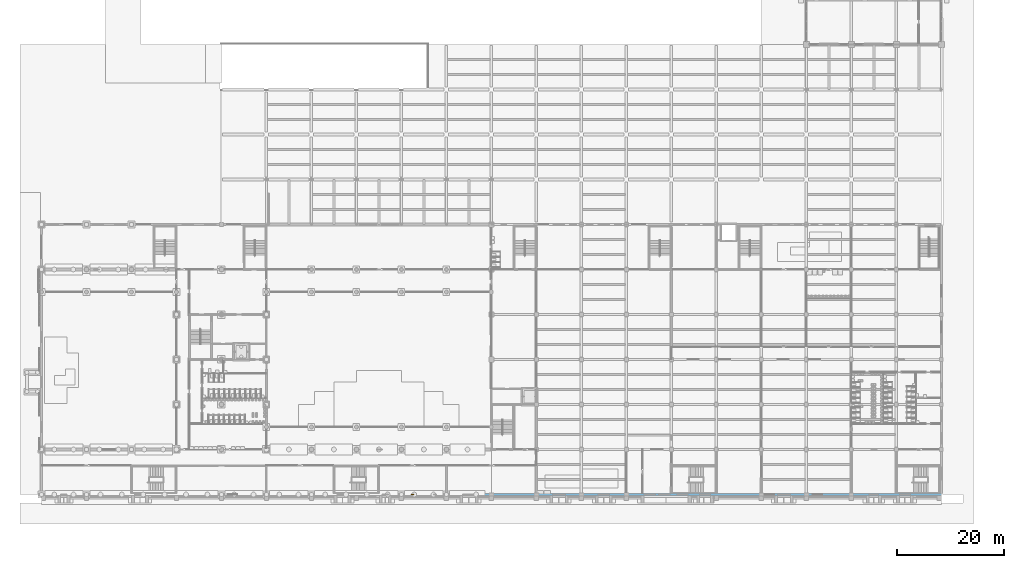
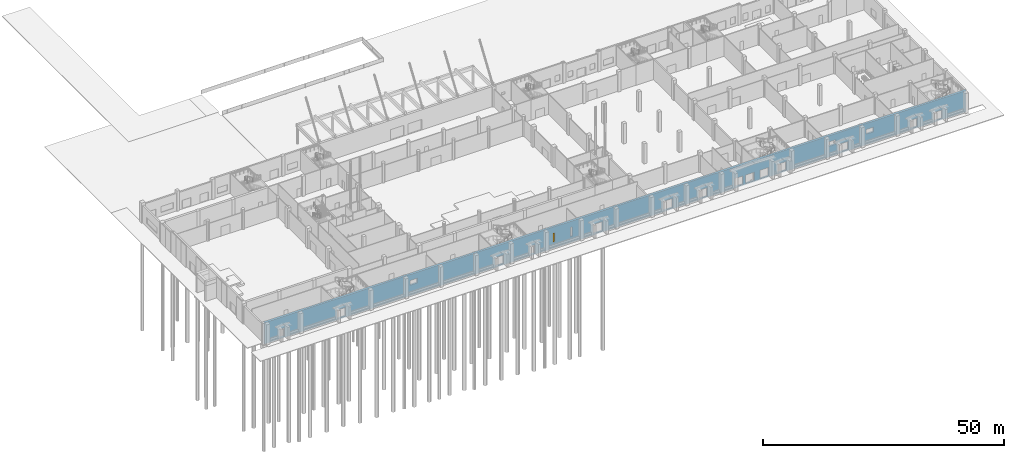
# One storey, part 23 of 74: 1 window, 19 openings, plus 1 element that does not belong to this part.
"""IFC4 building model written with IfcOpenShell, lengths in metres."""

import ifcopenshell
import ifcopenshell.guid

model = None  # the IFC model being written
_history = None  # IfcOwnerHistory: only IFC2X3 demands one
_inside = {}  # id of a spatial element -> (the spatial element, [elements in it])
_under = {}  # id of a project, library or spatial element -> (it, [spatial elements below it])
_declared = {}  # id of a project -> (the project, [libraries it declares])
_typed = {}  # id of a type object -> (the type object, [elements of that type])
_made_of = {}  # id of a material, layer set ... -> (it, [elements and type objects made of it])


def new_model(schema):
    """Start an empty IFC model of exactly this schema.

    Asked for "IFC4X3", IfcOpenShell would pick the latest addendum, in which some entities
    have other attributes; the version numbers below select the first issue.
    IFC2X3 requires an IfcOwnerHistory on every rooted entity: one is made here for all.
    """
    global model, _history
    if schema == "IFC4X3":
        model = ifcopenshell.file(schema_version=(4, 3, 0, 0))
    else:
        model = ifcopenshell.file(schema=schema)
    _inside.clear()
    _under.clear()
    _declared.clear()
    _typed.clear()
    _made_of.clear()
    _history = None
    if model.schema == "IFC2X3":
        org = make("IfcOrganization", Name="unknown")
        user = make(
            "IfcPersonAndOrganization",
            ThePerson=make("IfcPerson", FamilyName="unknown"),
            TheOrganization=org,
        )
        app = make(
            "IfcApplication",
            ApplicationDeveloper=org,
            Version="unknown",
            ApplicationFullName="unknown",
            ApplicationIdentifier="unknown",
        )
        _history = make(
            "IfcOwnerHistory",
            OwningUser=user,
            OwningApplication=app,
            ChangeAction="ADDED",
            CreationDate=0,
        )
    return model


def make(cls, **values):
    """One entity of the class cls with the attributes given. An attribute that is None is left unset."""
    return model.create_entity(
        cls, **{name: value for name, value in values.items() if value is not None}
    )


def rooted(cls, **values):
    """An entity with a GlobalId (a new one), such as an element, a storey or a relation."""
    return make(cls, GlobalId=ifcopenshell.guid.new(), OwnerHistory=_history, **values)


def si_unit(unit_type, name, prefix=None):
    """IfcSIUnit, for example si_unit("LENGTHUNIT", "METRE", prefix="MILLI")."""
    return make("IfcSIUnit", UnitType=unit_type, Prefix=prefix, Name=name)


def assignment(units):
    """IfcUnitAssignment: the units of a project."""
    return None if units is None else make("IfcUnitAssignment", Units=units)


def point(xyz):
    """IfcCartesianPoint."""
    return None if xyz is None else make("IfcCartesianPoint", Coordinates=xyz)


def direction(xyz):
    """IfcDirection."""
    return None if xyz is None else make("IfcDirection", DirectionRatios=xyz)


def frame(location, z_axis=None, x_axis=None):
    """IfcAxis2Placement3D, a coordinate frame: its origin and axes. An axis left out is left unset."""
    return make(
        "IfcAxis2Placement3D",
        Location=point(location),
        Axis=direction(z_axis),
        RefDirection=direction(x_axis),
    )


def frame_2d(location, x_axis=None):
    """IfcAxis2Placement2D, a coordinate frame in the plane: its origin and x axis."""
    return make(
        "IfcAxis2Placement2D", Location=point(location), RefDirection=direction(x_axis)
    )


def origin():
    """The frame at (0, 0, 0) with its axes left unset."""
    return frame((0.0, 0.0, 0.0))


def place(relative_to, where):
    """IfcLocalPlacement: puts the frame where relative to a parent placement (None: the world)."""
    return make(
        "IfcLocalPlacement", PlacementRelTo=relative_to, RelativePlacement=where
    )


def context(
    kind, dimensions, precision=None, world=None, true_north=None, identifier=None
):
    """IfcGeometricRepresentationContext, for example the 3D "Model" context."""
    return make(
        "IfcGeometricRepresentationContext",
        ContextIdentifier=identifier,
        ContextType=kind,
        CoordinateSpaceDimension=dimensions,
        Precision=precision,
        WorldCoordinateSystem=world,
        TrueNorth=true_north,
    )


def subcontext(parent, identifier, kind, view, scale=None):
    """IfcGeometricRepresentationSubContext, for example "Body" below "Model"."""
    return make(
        "IfcGeometricRepresentationSubContext",
        ContextIdentifier=identifier,
        ContextType=kind,
        ParentContext=parent,
        TargetScale=scale,
        TargetView=view,
    )


def project(units=None, contexts=None):
    """IfcProject with its units and contexts."""
    return rooted(
        "IfcProject",
        Name="project",
        RepresentationContexts=contexts,
        UnitsInContext=assignment(units),
    )


def spatial(cls, under=None, at=None, **own):
    """A site, building, storey or space (cls), placed at a placement, below another one or the project."""
    s = rooted(cls, ObjectPlacement=at, **own)
    if under is not None:
        _under.setdefault(under.id(), (under, []))[1].append(s)
    return s


def profile(cls, at=None, kind="AREA", **sizes):
    """A parametric profile (cls). Its sizes go by their IFC names, for example OverallWidth=200.0."""
    return make(cls, ProfileType=kind, Position=at, **sizes)


def rectangle(**sizes):
    """IfcRectangleProfileDef."""
    return profile("IfcRectangleProfileDef", **sizes)


def extrude(swept, where, along, depth):
    """IfcExtrudedAreaSolid: the profile swept, set in the frame where, extruded along a direction by depth."""
    return make(
        "IfcExtrudedAreaSolid",
        SweptArea=swept,
        Position=where,
        ExtrudedDirection=direction(along),
        Depth=depth,
    )


def shape(context_of_items, identifier, shape_type, items):
    """IfcShapeRepresentation: the items that make up one representation, for example the "Body"."""
    return make(
        "IfcShapeRepresentation",
        ContextOfItems=context_of_items,
        RepresentationIdentifier=identifier,
        RepresentationType=shape_type,
        Items=items,
    )


def material(Name=None, Category=None):
    """IfcMaterial."""
    return make("IfcMaterial", Name=Name, Category=Category)


def layer(
    of_material, thickness, ventilated=None, Name=None, Category=None, Priority=None
):
    """IfcMaterialLayer: one layer of a wall or slab, of a material (None: an air gap)."""
    return make(
        "IfcMaterialLayer",
        Material=of_material,
        LayerThickness=thickness,
        IsVentilated=ventilated,
        Name=Name,
        Category=Category,
        Priority=Priority,
    )


def layer_set(layers, Name=None):
    """IfcMaterialLayerSet."""
    return make("IfcMaterialLayerSet", MaterialLayers=layers, LayerSetName=Name)


def made_of(thing, what):
    """Note that an element or type object is made of a material, layer set ...; save() writes the relation."""
    if what is not None:
        _made_of.setdefault(what.id(), (what, []))[1].append(thing)
    return thing


def type_object(cls, material=None, **own):
    """A type object (cls), such as IfcWallType, which elements share."""
    return made_of(rooted(cls, **own), material)


def element(
    cls,
    number,
    at=None,
    inside=None,
    cuts=None,
    type_object=None,
    material=None,
    context=None,
    identifier="Body",
    shape_type=None,
    held_by="IfcProductDefinitionShape",
    body=None,
    shapes=None,
    **own,
):
    """One element of the class cls, such as IfcWall. Its Tag is "e" and its number.

    at: its placement. inside: the storey or other place that contains it. cuts: it is an
    opening in that element (IfcRelVoidsElement). A single representation is given by context,
    identifier, shape_type and body (its items); several are given by shapes. held_by: the class
    of the entity that holds the representations. save() writes the other relations.
    """
    e = rooted(cls, Tag="e%d" % number, ObjectPlacement=at, **own)
    if body is not None:
        shapes = [shape(context, identifier, shape_type, body)]
    if shapes is not None:
        e.Representation = make(held_by, Representations=shapes)
    if inside is not None:
        _inside.setdefault(inside.id(), (inside, []))[1].append(e)
    if cuts is not None:
        rooted(
            "IfcRelVoidsElement", RelatingBuildingElement=cuts, RelatedOpeningElement=e
        )
    if type_object is not None:
        _typed.setdefault(type_object.id(), (type_object, []))[1].append(e)
    return made_of(e, material)


def fill(opening, filler):
    """IfcRelFillsElement: the door or window that sits in an opening."""
    return rooted(
        "IfcRelFillsElement",
        RelatingOpeningElement=opening,
        RelatedBuildingElement=filler,
    )


def aggregate(whole, parts):
    """IfcRelAggregates: a whole, such as a stair, and the parts it consists of."""
    return rooted("IfcRelAggregates", RelatingObject=whole, RelatedObjects=parts)


def save(model, path):
    """Write the relations noted so far, then the file.

    IfcRelAggregates (storeys below a building ...), IfcRelContainedInSpatialStructure (elements
    in a storey), IfcRelDefinesByType, IfcRelAssociatesMaterial and IfcRelDeclares: one each for
    every whole, place, type object, material and project.
    """
    for whole, parts in _under.values():
        aggregate(whole, parts)
    for where, things in _inside.values():
        rooted(
            "IfcRelContainedInSpatialStructure",
            RelatedElements=things,
            RelatingStructure=where,
        )
    for kind, things in _typed.values():
        rooted("IfcRelDefinesByType", RelatedObjects=things, RelatingType=kind)
    for what, things in _made_of.values():
        rooted("IfcRelAssociatesMaterial", RelatedObjects=things, RelatingMaterial=what)
    for by, libraries in _declared.values():
        rooted("IfcRelDeclares", RelatingContext=by, RelatedDefinitions=libraries)
    model.write(path)


model = new_model("IFC4")

# Units and contexts
model_context = context("Model", 3, precision=1e-05, world=origin(), true_north=direction((0.0, 1.0)))
body_context = subcontext(model_context, "Body", "Model", "MODEL_VIEW")
ifc_project = project(units=[si_unit("LENGTHUNIT", "METRE"), si_unit("AREAUNIT", "SQUARE_METRE"), si_unit("VOLUMEUNIT", "CUBIC_METRE"), si_unit("PLANEANGLEUNIT", "RADIAN"), si_unit("MASSUNIT", "GRAM", prefix="KILO")], contexts=[model_context])

# Site, building, storey
site_placement = place(None, origin())
site = spatial("IfcSite", under=ifc_project, at=site_placement, CompositionType="ELEMENT")
building_placement = place(site_placement, origin())
building = spatial("IfcBuilding", under=site, at=building_placement, Name="Rulbaag Community and Learning Centre", CompositionType="ELEMENT")
storey_placement = place(building_placement, origin())
storey = spatial("IfcBuildingStorey", under=building, at=storey_placement, Name="L00", CompositionType="ELEMENT", Elevation=0.0)

# Wall, openings, window
ifc_material_1 = material(Name="Concrete M40", Category="concrete")
ifc_layer = layer(ifc_material_1, 0.449951171875)
ifc_layer_set = layer_set([ifc_layer], Name="W12 Rail-side wall 450 Concrete M40")
wall_type = type_object("IfcWallType", Name="W12 Rail-side wall 450 Concrete M40", PredefinedType="SOLIDWALL", material=ifc_layer_set)
wall_placement = place(storey_placement, frame((0.0, 0.0, -0.300048828125), z_axis=(0.0, 0.0, 1.0), x_axis=(1.0, 0.0, 0.0)))
wall = element("IfcWall", 1, at=wall_placement, inside=storey, type_object=wall_type, Name="WL-RAIL-L00", PredefinedType="SOLIDWALL", context=body_context, shape_type="SweptSolid", body=[
    extrude(rectangle(XDim=168.0, YDim=0.449951171875, at=frame_2d((84.0, 0.0))), origin(), (0.0, 0.0, 1.0), 5.400146484375),
])
opening_1_placement = place(wall_placement, frame((34.800048828125, 0.0, 2.699951171875)))
element("IfcOpeningElement", 2, at=opening_1_placement, cuts=wall, Name="Opening WN7", PredefinedType="OPENING", context=body_context, shape_type="SweptSolid", body=[
    extrude(rectangle(XDim=1.800048828125, YDim=1.199951171875, at=frame_2d((0.89990234375, 0.60009765625))), frame((0.0, 0.23486328125, 0.0), z_axis=(0.0, -1.0, 0.0), x_axis=(1.0, 0.0, 0.0)), (0.0, 0.0, 1.0), 0.469970703125),
])
opening_2_placement = place(wall_placement, frame((69.074951171875, 0.0, 1.5)))
opening_2 = element("IfcOpeningElement", 3, at=opening_2_placement, cuts=wall, Name="Opening WN6", PredefinedType="OPENING", context=body_context, shape_type="SweptSolid", body=[
    extrude(rectangle(XDim=0.449951171875, YDim=2.39990234375, at=frame_2d((0.22509765625, 1.199951171875))), frame((0.0, 0.23486328125, 0.0), z_axis=(0.0, -1.0, 0.0), x_axis=(1.0, 0.0, 0.0)), (0.0, 0.0, 1.0), 0.469970703125),
])
opening_3_placement = place(wall_placement, frame((73.27490234375, 0.0, 1.5)))
element("IfcOpeningElement", 4, at=opening_3_placement, cuts=wall, Name="Opening WN6", PredefinedType="OPENING", context=body_context, shape_type="SweptSolid", body=[
    extrude(rectangle(XDim=0.449951171875, YDim=2.39990234375, at=frame_2d((0.22509765625, 1.199951171875))), frame((0.0, 0.23486328125, 0.0), z_axis=(0.0, -1.0, 0.0), x_axis=(1.0, 0.0, 0.0)), (0.0, 0.0, 1.0), 0.469970703125),
])
opening_4_placement = place(wall_placement, frame((135.0, 0.0, 2.699951171875)))
element("IfcOpeningElement", 5, at=opening_4_placement, cuts=wall, Name="Opening WN7", PredefinedType="OPENING", context=body_context, shape_type="SweptSolid", body=[
    extrude(rectangle(XDim=1.800048828125, YDim=1.199951171875, at=frame_2d((0.89990234375, 0.60009765625))), frame((0.0, 0.23486328125, 0.0), z_axis=(0.0, -1.0, 0.0), x_axis=(1.0, 0.0, 0.0)), (0.0, 0.0, 1.0), 0.469970703125),
])
opening_5_placement = place(wall_placement, frame((144.0, 0.0, 2.699951171875)))
element("IfcOpeningElement", 6, at=opening_5_placement, cuts=wall, Name="Opening WN7", PredefinedType="OPENING", context=body_context, shape_type="SweptSolid", body=[
    extrude(rectangle(XDim=1.800048828125, YDim=1.199951171875, at=frame_2d((0.89990234375, 0.60009765625))), frame((0.0, 0.23486328125, 0.0), z_axis=(0.0, -1.0, 0.0), x_axis=(1.0, 0.0, 0.0)), (0.0, 0.0, 1.0), 0.469970703125),
])
opening_6_placement = place(wall_placement, frame((114.60009765625, 0.0, 0.300048828125), z_axis=(0.0, 0.0, 1.0), x_axis=(-1.0, 0.0, 0.0)))
element("IfcOpeningElement", 7, at=opening_6_placement, cuts=wall, Name="Opening L00-D098", PredefinedType="OPENING", context=body_context, shape_type="SweptSolid", body=[
    extrude(rectangle(XDim=2.10009765625, YDim=2.199951171875, at=frame_2d((1.050048828125, 1.10009765625))), frame((0.0, 0.23486328125, 0.0), z_axis=(0.0, -1.0, 0.0), x_axis=(1.0, 0.0, 0.0)), (0.0, 0.0, 1.0), 0.469970703125),
])
opening_7_placement = place(wall_placement, frame((117.300048828125, 0.0, 0.300048828125), z_axis=(0.0, 0.0, 1.0), x_axis=(-1.0, 0.0, 0.0)))
element("IfcOpeningElement", 8, at=opening_7_placement, cuts=wall, Name="Opening L00-D100", PredefinedType="OPENING", context=body_context, shape_type="SweptSolid", body=[
    extrude(rectangle(XDim=2.10009765625, YDim=2.199951171875, at=frame_2d((1.050048828125, 1.10009765625))), frame((0.0, 0.23486328125, 0.0), z_axis=(0.0, -1.0, 0.0), x_axis=(1.0, 0.0, 0.0)), (0.0, 0.0, 1.0), 0.469970703125),
])
opening_8_placement = place(wall_placement, frame((106.050048828125, 0.0, 0.300048828125), z_axis=(0.0, 0.0, 1.0), x_axis=(-1.0, 0.0, 0.0)))
element("IfcOpeningElement", 9, at=opening_8_placement, cuts=wall, Name="Opening L00-D094", PredefinedType="OPENING", context=body_context, shape_type="SweptSolid", body=[
    extrude(rectangle(XDim=2.10009765625, YDim=2.199951171875, at=frame_2d((1.050048828125, 1.10009765625))), frame((0.0, 0.23486328125, 0.0), z_axis=(0.0, -1.0, 0.0), x_axis=(1.0, 0.0, 0.0)), (0.0, 0.0, 1.0), 0.469970703125),
])
opening_9_placement = place(wall_placement, frame((57.25, 0.0, 0.300048828125), z_axis=(0.0, 0.0, 1.0), x_axis=(-1.0, 0.0, 0.0)))
element("IfcOpeningElement", 10, at=opening_9_placement, cuts=wall, Name="Opening L00-D066", PredefinedType="OPENING", context=body_context, shape_type="SweptSolid", body=[
    extrude(rectangle(XDim=2.10009765625, YDim=2.199951171875, at=frame_2d((1.050048828125, 1.10009765625))), frame((0.0, 0.23486328125, 0.0), z_axis=(0.0, -1.0, 0.0), x_axis=(1.0, 0.0, 0.0)), (0.0, 0.0, 1.0), 0.469970703125),
])
opening_10_placement = place(wall_placement, frame((120.75, 0.0, 0.300048828125), z_axis=(0.0, 0.0, 1.0), x_axis=(-1.0, 0.0, 0.0)))
element("IfcOpeningElement", 11, at=opening_10_placement, cuts=wall, Name="Opening L00-D106", PredefinedType="OPENING", context=body_context, shape_type="SweptSolid", body=[
    extrude(rectangle(XDim=2.10009765625, YDim=2.199951171875, at=frame_2d((1.050048828125, 1.10009765625))), frame((0.0, 0.23486328125, 0.0), z_axis=(0.0, -1.0, 0.0), x_axis=(1.0, 0.0, 0.0)), (0.0, 0.0, 1.0), 0.469970703125),
])
opening_11_placement = place(wall_placement, frame((124.9501953125, 0.0, 0.300048828125), z_axis=(0.0, 0.0, 1.0), x_axis=(-1.0, 0.0, 0.0)))
element("IfcOpeningElement", 12, at=opening_11_placement, cuts=wall, Name="Opening L00-D110", PredefinedType="OPENING", context=body_context, shape_type="SweptSolid", body=[
    extrude(rectangle(XDim=2.10009765625, YDim=2.199951171875, at=frame_2d((1.050048828125, 1.10009765625))), frame((0.0, 0.23486328125, 0.0), z_axis=(0.0, -1.0, 0.0), x_axis=(1.0, 0.0, 0.0)), (0.0, 0.0, 1.0), 0.469970703125),
])
opening_12_placement = place(wall_placement, frame((19.4501953125, 0.0, 0.300048828125), z_axis=(0.0, 0.0, 1.0), x_axis=(-1.0, 0.0, 0.0)))
element("IfcOpeningElement", 13, at=opening_12_placement, cuts=wall, Name="Opening L00-D013", PredefinedType="OPENING", context=body_context, shape_type="SweptSolid", body=[
    extrude(rectangle(XDim=2.10009765625, YDim=2.199951171875, at=frame_2d((1.050048828125, 1.10009765625))), frame((0.0, 0.23486328125, 0.0), z_axis=(0.0, -1.0, 0.0), x_axis=(1.0, 0.0, 0.0)), (0.0, 0.0, 1.0), 0.469970703125),
])
opening_13_placement = place(wall_placement, frame((162.25, 0.0, 0.300048828125), z_axis=(0.0, 0.0, 1.0), x_axis=(-1.0, 0.0, 0.0)))
element("IfcOpeningElement", 14, at=opening_13_placement, cuts=wall, Name="Opening L00-D177", PredefinedType="OPENING", context=body_context, shape_type="SweptSolid", body=[
    extrude(rectangle(XDim=2.10009765625, YDim=2.199951171875, at=frame_2d((1.050048828125, 1.10009765625))), frame((0.0, 0.23486328125, 0.0), z_axis=(0.0, -1.0, 0.0), x_axis=(1.0, 0.0, 0.0)), (0.0, 0.0, 1.0), 0.469970703125),
])
opening_14_placement = place(wall_placement, frame((4.800048828125, 0.0, 0.300048828125), z_axis=(0.0, 0.0, 1.0), x_axis=(-1.0, 0.0, 0.0)))
element("IfcOpeningElement", 15, at=opening_14_placement, cuts=wall, Name="Opening L00-D005", PredefinedType="OPENING", context=body_context, shape_type="SweptSolid", body=[
    extrude(rectangle(XDim=1.199951171875, YDim=2.199951171875, at=frame_2d((0.60009765625, 1.10009765625))), frame((0.0, 0.23486328125, 0.0), z_axis=(0.0, -1.0, 0.0), x_axis=(1.0, 0.0, 0.0)), (0.0, 0.0, 1.0), 0.469970703125),
])
opening_15_placement = place(wall_placement, frame((64.800048828125, 0.0, 0.300048828125), z_axis=(0.0, 0.0, 1.0), x_axis=(-1.0, 0.0, 0.0)))
element("IfcOpeningElement", 16, at=opening_15_placement, cuts=wall, Name="Opening L00-D072", PredefinedType="OPENING", context=body_context, shape_type="SweptSolid", body=[
    extrude(rectangle(XDim=1.199951171875, YDim=2.199951171875, at=frame_2d((0.60009765625, 1.10009765625))), frame((0.0, 0.23486328125, 0.0), z_axis=(0.0, -1.0, 0.0), x_axis=(1.0, 0.0, 0.0)), (0.0, 0.0, 1.0), 0.469970703125),
])
opening_16_placement = place(wall_placement, frame((81.0, 0.0, 0.300048828125), z_axis=(0.0, 0.0, 1.0), x_axis=(-1.0, 0.0, 0.0)))
element("IfcOpeningElement", 17, at=opening_16_placement, cuts=wall, Name="Opening L00-D075", PredefinedType="OPENING", context=body_context, shape_type="SweptSolid", body=[
    extrude(rectangle(XDim=2.39990234375, YDim=2.39990234375, at=frame_2d((1.199951171875, 1.199951171875))), frame((0.0, 0.23486328125, 0.0), z_axis=(0.0, -1.0, 0.0), x_axis=(1.0, 0.0, 0.0)), (0.0, 0.0, 1.0), 0.469970703125),
])
opening_17_placement = place(wall_placement, frame((97.7998046875, 0.0, 0.300048828125), z_axis=(0.0, 0.0, 1.0), x_axis=(-1.0, 0.0, 0.0)))
element("IfcOpeningElement", 18, at=opening_17_placement, cuts=wall, Name="Opening L00-D091", PredefinedType="OPENING", context=body_context, shape_type="SweptSolid", body=[
    extrude(rectangle(XDim=2.39990234375, YDim=2.39990234375, at=frame_2d((1.199951171875, 1.199951171875))), frame((0.0, 0.23486328125, 0.0), z_axis=(0.0, -1.0, 0.0), x_axis=(1.0, 0.0, 0.0)), (0.0, 0.0, 1.0), 0.469970703125),
])
opening_18_placement = place(wall_placement, frame((139.7998046875, 0.0, 0.300048828125), z_axis=(0.0, 0.0, 1.0), x_axis=(-1.0, 0.0, 0.0)))
element("IfcOpeningElement", 19, at=opening_18_placement, cuts=wall, Name="Opening L00-D122", PredefinedType="OPENING", context=body_context, shape_type="SweptSolid", body=[
    extrude(rectangle(XDim=2.39990234375, YDim=2.10009765625, at=frame_2d((1.199951171875, 1.050048828125))), frame((0.0, 0.23486328125, 0.0), z_axis=(0.0, -1.0, 0.0), x_axis=(1.0, 0.0, 0.0)), (0.0, 0.0, 1.0), 0.469970703125),
])
opening_19_placement = place(wall_placement, frame((156.300048828125, 0.0, 0.300048828125), z_axis=(0.0, 0.0, 1.0), x_axis=(-1.0, 0.0, 0.0)))
element("IfcOpeningElement", 20, at=opening_19_placement, cuts=wall, Name="Opening L00-D155", PredefinedType="OPENING", context=body_context, shape_type="SweptSolid", body=[
    extrude(rectangle(XDim=1.800048828125, YDim=2.199951171875, at=frame_2d((0.89990234375, 1.10009765625))), frame((0.0, 0.23486328125, 0.0), z_axis=(0.0, -1.0, 0.0), x_axis=(1.0, 0.0, 0.0)), (0.0, 0.0, 1.0), 0.469970703125),
])
ifc_material_2 = material(Name="Aluminium", Category="aluminium")
window_type = type_object("IfcWindowType", Name="SL-045", PartitioningType="SINGLE_PANEL", PredefinedType="WINDOW", material=ifc_material_2)
window_placement = place(opening_2_placement, origin())
window = element("IfcWindow", 21, at=window_placement, inside=storey, type_object=window_type, Name="Acoustic slot window", OverallHeight=2.39990234375, OverallWidth=0.449951171875, PartitioningType="SINGLE_PANEL", PredefinedType="WINDOW", context=body_context, shape_type="SweptSolid", body=[
    extrude(rectangle(XDim=0.449951171875, YDim=2.39990234375, at=frame_2d((0.22509765625, 1.199951171875))), frame((0.0, 0.030029296875, 0.0), z_axis=(0.0, -1.0, 0.0), x_axis=(1.0, 0.0, 0.0)), (0.0, 0.0, 1.0), 0.06005859375),
])
fill(opening_2, window)

save(model, "model.ifc")
